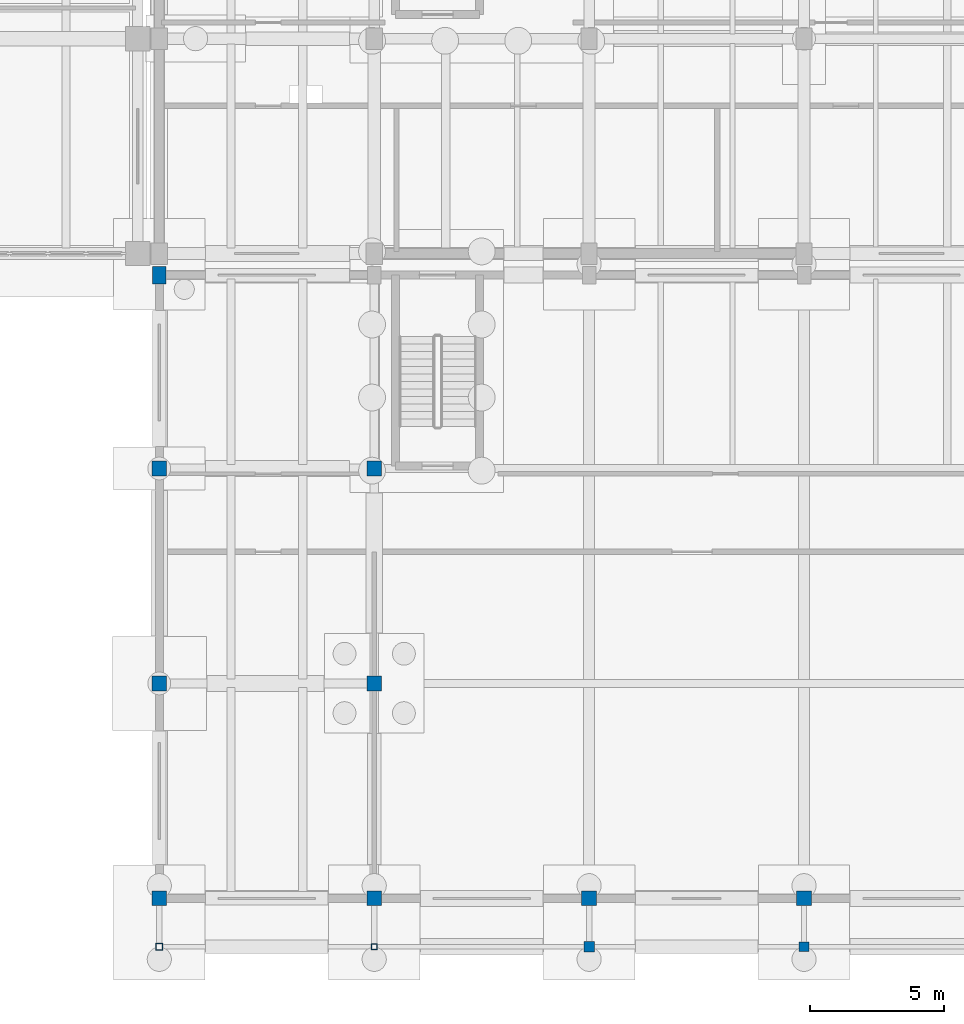
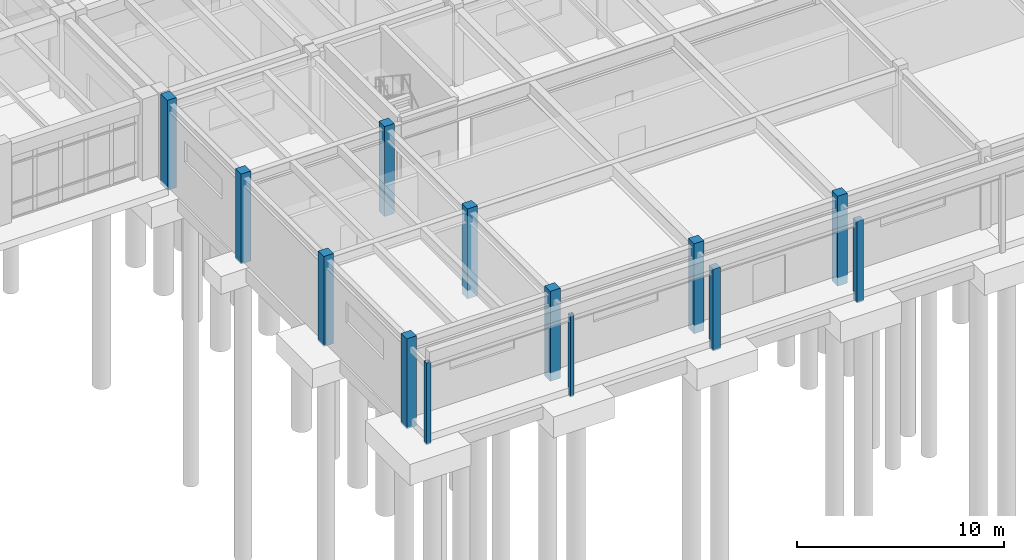
# One storey, part 9 of 64: 13 columns.
"""IFC4 building model written with IfcOpenShell, lengths in metres."""

import ifcopenshell
import ifcopenshell.guid

model = None  # the IFC model being written
_history = None  # IfcOwnerHistory: only IFC2X3 demands one
_inside = {}  # id of a spatial element -> (the spatial element, [elements in it])
_under = {}  # id of a project, library or spatial element -> (it, [spatial elements below it])
_declared = {}  # id of a project -> (the project, [libraries it declares])
_typed = {}  # id of a type object -> (the type object, [elements of that type])
_made_of = {}  # id of a material, layer set ... -> (it, [elements and type objects made of it])


def new_model(schema):
    """Start an empty IFC model of exactly this schema.

    Asked for "IFC4X3", IfcOpenShell would pick the latest addendum, in which some entities
    have other attributes; the version numbers below select the first issue.
    IFC2X3 requires an IfcOwnerHistory on every rooted entity: one is made here for all.
    """
    global model, _history
    if schema == "IFC4X3":
        model = ifcopenshell.file(schema_version=(4, 3, 0, 0))
    else:
        model = ifcopenshell.file(schema=schema)
    _inside.clear()
    _under.clear()
    _declared.clear()
    _typed.clear()
    _made_of.clear()
    _history = None
    if model.schema == "IFC2X3":
        org = make("IfcOrganization", Name="unknown")
        user = make(
            "IfcPersonAndOrganization",
            ThePerson=make("IfcPerson", FamilyName="unknown"),
            TheOrganization=org,
        )
        app = make(
            "IfcApplication",
            ApplicationDeveloper=org,
            Version="unknown",
            ApplicationFullName="unknown",
            ApplicationIdentifier="unknown",
        )
        _history = make(
            "IfcOwnerHistory",
            OwningUser=user,
            OwningApplication=app,
            ChangeAction="ADDED",
            CreationDate=0,
        )
    return model


def make(cls, **values):
    """One entity of the class cls with the attributes given. An attribute that is None is left unset."""
    return model.create_entity(
        cls, **{name: value for name, value in values.items() if value is not None}
    )


def rooted(cls, **values):
    """An entity with a GlobalId (a new one), such as an element, a storey or a relation."""
    return make(cls, GlobalId=ifcopenshell.guid.new(), OwnerHistory=_history, **values)


def si_unit(unit_type, name, prefix=None):
    """IfcSIUnit, for example si_unit("LENGTHUNIT", "METRE", prefix="MILLI")."""
    return make("IfcSIUnit", UnitType=unit_type, Prefix=prefix, Name=name)


def assignment(units):
    """IfcUnitAssignment: the units of a project."""
    return None if units is None else make("IfcUnitAssignment", Units=units)


def point(xyz):
    """IfcCartesianPoint."""
    return None if xyz is None else make("IfcCartesianPoint", Coordinates=xyz)


def direction(xyz):
    """IfcDirection."""
    return None if xyz is None else make("IfcDirection", DirectionRatios=xyz)


def frame(location, z_axis=None, x_axis=None):
    """IfcAxis2Placement3D, a coordinate frame: its origin and axes. An axis left out is left unset."""
    return make(
        "IfcAxis2Placement3D",
        Location=point(location),
        Axis=direction(z_axis),
        RefDirection=direction(x_axis),
    )


def frame_2d(location, x_axis=None):
    """IfcAxis2Placement2D, a coordinate frame in the plane: its origin and x axis."""
    return make(
        "IfcAxis2Placement2D", Location=point(location), RefDirection=direction(x_axis)
    )


def origin():
    """The frame at (0, 0, 0) with its axes left unset."""
    return frame((0.0, 0.0, 0.0))


def origin_2d():
    """The frame at (0, 0) in the plane with its x axis left unset."""
    return frame_2d((0.0, 0.0))


def place(relative_to, where):
    """IfcLocalPlacement: puts the frame where relative to a parent placement (None: the world)."""
    return make(
        "IfcLocalPlacement", PlacementRelTo=relative_to, RelativePlacement=where
    )


def context(
    kind, dimensions, precision=None, world=None, true_north=None, identifier=None
):
    """IfcGeometricRepresentationContext, for example the 3D "Model" context."""
    return make(
        "IfcGeometricRepresentationContext",
        ContextIdentifier=identifier,
        ContextType=kind,
        CoordinateSpaceDimension=dimensions,
        Precision=precision,
        WorldCoordinateSystem=world,
        TrueNorth=true_north,
    )


def subcontext(parent, identifier, kind, view, scale=None):
    """IfcGeometricRepresentationSubContext, for example "Body" below "Model"."""
    return make(
        "IfcGeometricRepresentationSubContext",
        ContextIdentifier=identifier,
        ContextType=kind,
        ParentContext=parent,
        TargetScale=scale,
        TargetView=view,
    )


def project(units=None, contexts=None):
    """IfcProject with its units and contexts."""
    return rooted(
        "IfcProject",
        Name="project",
        RepresentationContexts=contexts,
        UnitsInContext=assignment(units),
    )


def spatial(cls, under=None, at=None, **own):
    """A site, building, storey or space (cls), placed at a placement, below another one or the project."""
    s = rooted(cls, ObjectPlacement=at, **own)
    if under is not None:
        _under.setdefault(under.id(), (under, []))[1].append(s)
    return s


def profile(cls, at=None, kind="AREA", **sizes):
    """A parametric profile (cls). Its sizes go by their IFC names, for example OverallWidth=200.0."""
    return make(cls, ProfileType=kind, Position=at, **sizes)


def rectangle(**sizes):
    """IfcRectangleProfileDef."""
    return profile("IfcRectangleProfileDef", **sizes)


def hollow_rectangle(**sizes):
    """IfcRectangleHollowProfileDef."""
    return profile("IfcRectangleHollowProfileDef", **sizes)


def extrude(swept, where, along, depth):
    """IfcExtrudedAreaSolid: the profile swept, set in the frame where, extruded along a direction by depth."""
    return make(
        "IfcExtrudedAreaSolid",
        SweptArea=swept,
        Position=where,
        ExtrudedDirection=direction(along),
        Depth=depth,
    )


def shape(context_of_items, identifier, shape_type, items):
    """IfcShapeRepresentation: the items that make up one representation, for example the "Body"."""
    return make(
        "IfcShapeRepresentation",
        ContextOfItems=context_of_items,
        RepresentationIdentifier=identifier,
        RepresentationType=shape_type,
        Items=items,
    )


def material(Name=None, Category=None):
    """IfcMaterial."""
    return make("IfcMaterial", Name=Name, Category=Category)


def material_profile(
    of_material, cross_section, Name=None, Category=None, Priority=None
):
    """IfcMaterialProfile: a cross section and its material."""
    return make(
        "IfcMaterialProfile",
        Name=Name,
        Material=of_material,
        Profile=cross_section,
        Priority=Priority,
        Category=Category,
    )


def profile_set(profiles, Name=None, composite=None):
    """IfcMaterialProfileSet."""
    return make(
        "IfcMaterialProfileSet",
        Name=Name,
        MaterialProfiles=profiles,
        CompositeProfile=composite,
    )


def made_of(thing, what):
    """Note that an element or type object is made of a material, layer set ...; save() writes the relation."""
    if what is not None:
        _made_of.setdefault(what.id(), (what, []))[1].append(thing)
    return thing


def type_object(cls, material=None, **own):
    """A type object (cls), such as IfcWallType, which elements share."""
    return made_of(rooted(cls, **own), material)


def element(
    cls,
    number,
    at=None,
    inside=None,
    cuts=None,
    type_object=None,
    material=None,
    context=None,
    identifier="Body",
    shape_type=None,
    held_by="IfcProductDefinitionShape",
    body=None,
    shapes=None,
    **own,
):
    """One element of the class cls, such as IfcWall. Its Tag is "e" and its number.

    at: its placement. inside: the storey or other place that contains it. cuts: it is an
    opening in that element (IfcRelVoidsElement). A single representation is given by context,
    identifier, shape_type and body (its items); several are given by shapes. held_by: the class
    of the entity that holds the representations. save() writes the other relations.
    """
    e = rooted(cls, Tag="e%d" % number, ObjectPlacement=at, **own)
    if body is not None:
        shapes = [shape(context, identifier, shape_type, body)]
    if shapes is not None:
        e.Representation = make(held_by, Representations=shapes)
    if inside is not None:
        _inside.setdefault(inside.id(), (inside, []))[1].append(e)
    if cuts is not None:
        rooted(
            "IfcRelVoidsElement", RelatingBuildingElement=cuts, RelatedOpeningElement=e
        )
    if type_object is not None:
        _typed.setdefault(type_object.id(), (type_object, []))[1].append(e)
    return made_of(e, material)


def aggregate(whole, parts):
    """IfcRelAggregates: a whole, such as a stair, and the parts it consists of."""
    return rooted("IfcRelAggregates", RelatingObject=whole, RelatedObjects=parts)


def save(model, path):
    """Write the relations noted so far, then the file.

    IfcRelAggregates (storeys below a building ...), IfcRelContainedInSpatialStructure (elements
    in a storey), IfcRelDefinesByType, IfcRelAssociatesMaterial and IfcRelDeclares: one each for
    every whole, place, type object, material and project.
    """
    for whole, parts in _under.values():
        aggregate(whole, parts)
    for where, things in _inside.values():
        rooted(
            "IfcRelContainedInSpatialStructure",
            RelatedElements=things,
            RelatingStructure=where,
        )
    for kind, things in _typed.values():
        rooted("IfcRelDefinesByType", RelatedObjects=things, RelatingType=kind)
    for what, things in _made_of.values():
        rooted("IfcRelAssociatesMaterial", RelatedObjects=things, RelatingMaterial=what)
    for by, libraries in _declared.values():
        rooted("IfcRelDeclares", RelatingContext=by, RelatedDefinitions=libraries)
    model.write(path)


model = new_model("IFC4")

# Units and contexts
model_context = context("Model", 3, precision=1e-05, world=origin(), true_north=direction((0.0, 1.0)))
body_context = subcontext(model_context, "Body", "Model", "MODEL_VIEW")
ifc_project = project(units=[si_unit("LENGTHUNIT", "METRE"), si_unit("AREAUNIT", "SQUARE_METRE"), si_unit("VOLUMEUNIT", "CUBIC_METRE"), si_unit("PLANEANGLEUNIT", "RADIAN"), si_unit("MASSUNIT", "GRAM", prefix="KILO")], contexts=[model_context])

# Site, building, storey
site_placement = place(None, origin())
site = spatial("IfcSite", under=ifc_project, at=site_placement, CompositionType="ELEMENT")
building_placement = place(site_placement, origin())
building = spatial("IfcBuilding", under=site, at=building_placement, Name="Tlaxcora Railside Police Headquarters", CompositionType="ELEMENT")
storey_placement = place(building_placement, origin())
storey = spatial("IfcBuildingStorey", under=building, at=storey_placement, Name="L00", CompositionType="ELEMENT", Elevation=0.0)

# Columns
ifc_material_1 = material(Name="Steel ASTM A992 Grade 50", Category="steel")
ifc_material_profile_1 = material_profile(ifc_material_1, hollow_rectangle(XDim=0.25, YDim=0.25, WallThickness=0.011962890625, at=origin_2d()), Name="HSS250X250X12")
ifc_profile_set_1 = profile_set([ifc_material_profile_1], Name="Steel ASTM A992 Grade 50")
column_type_1 = type_object("IfcColumnType", Name="Facade Pilaster Column CL-25", PredefinedType="PILASTER", material=ifc_profile_set_1)
column_1_placement = place(storey_placement, frame((102.800048828125, 10.199951171875, -0.5), z_axis=(0.0, 0.0, 1.0), x_axis=(1.0, 0.0, 0.0)))
element("IfcColumn", 1, at=column_1_placement, inside=storey, type_object=column_type_1, Name="Forecourt colonnade pilaster X=102.8", PredefinedType="PILASTER", context=body_context, shape_type="SweptSolid", body=[
    extrude(hollow_rectangle(XDim=0.25, YDim=0.25, WallThickness=0.011962890625, at=origin_2d()), origin(), (0.0, 0.0, 1.0), 4.820068359375),
])
ifc_material_profile_2 = material_profile(ifc_material_1, hollow_rectangle(XDim=0.219970703125, YDim=0.219970703125, WallThickness=0.011962890625, at=origin_2d()), Name="HSS220X220X12")
ifc_profile_set_2 = profile_set([ifc_material_profile_2], Name="Steel ASTM A992 Grade 50")
column_type_2 = type_object("IfcColumnType", Name="Facade Pilaster Column CL-29", PredefinedType="PILASTER", material=ifc_profile_set_2)
column_2_placement = place(storey_placement, frame((110.800048828125, 10.199951171875, -0.5), z_axis=(0.0, 0.0, 1.0), x_axis=(1.0, 0.0, 0.0)))
element("IfcColumn", 2, at=column_2_placement, inside=storey, type_object=column_type_2, Name="Forecourt colonnade pilaster X=110.8", PredefinedType="PILASTER", context=body_context, shape_type="SweptSolid", body=[
    extrude(hollow_rectangle(XDim=0.219970703125, YDim=0.219970703125, WallThickness=0.011962890625, at=origin_2d()), origin(), (0.0, 0.0, 1.0), 4.820068359375),
])
ifc_material_2 = material(Name="Precast concrete C40/50", Category="concrete")
ifc_material_profile_3 = material_profile(ifc_material_2, rectangle(XDim=0.360107421875, YDim=0.360107421875, at=origin_2d()), Name="RC360X360")
ifc_profile_set_3 = profile_set([ifc_material_profile_3], Name="Precast concrete C40/50")
column_type_3 = type_object("IfcColumnType", Name="Facade Pilaster Column CL-34", PredefinedType="PILASTER", material=ifc_profile_set_3)
column_3_placement = place(storey_placement, frame((126.800048828125, 10.199951171875, -0.5), z_axis=(0.0, 0.0, 1.0), x_axis=(1.0, 0.0, 0.0)))
element("IfcColumn", 3, at=column_3_placement, inside=storey, type_object=column_type_3, Name="Forecourt colonnade pilaster X=126.8", PredefinedType="PILASTER", context=body_context, shape_type="SweptSolid", body=[
    extrude(rectangle(XDim=0.360107421875, YDim=0.360107421875, at=origin_2d()), origin(), (0.0, 0.0, 1.0), 4.820068359375),
])
ifc_material_profile_4 = material_profile(ifc_material_2, rectangle(XDim=0.39990234375, YDim=0.39990234375, at=origin_2d()), Name="RC400X400")
ifc_profile_set_4 = profile_set([ifc_material_profile_4], Name="Precast concrete C40/50")
column_type_4 = type_object("IfcColumnType", Name="Facade Pilaster Column CL-61", PredefinedType="PILASTER", material=ifc_profile_set_4)
column_4_placement = place(storey_placement, frame((118.800048828125, 10.199951171875, -0.5), z_axis=(0.0, 0.0, 1.0), x_axis=(1.0, 0.0, 0.0)))
element("IfcColumn", 4, at=column_4_placement, inside=storey, type_object=column_type_4, Name="Forecourt colonnade pilaster X=118.8", PredefinedType="PILASTER", context=body_context, shape_type="SweptSolid", body=[
    extrude(rectangle(XDim=0.39990234375, YDim=0.39990234375, at=origin_2d()), origin(), (0.0, 0.0, 1.0), 4.820068359375),
])
ifc_material_3 = material(Name="Concrete C40/50", Category="concrete")
ifc_material_profile_5 = material_profile(ifc_material_3, rectangle(XDim=0.5, YDim=0.64990234375, at=origin_2d()), Name="RC500X650")
ifc_profile_set_5 = profile_set([ifc_material_profile_5], Name="Concrete C40/50")
column_type_5 = type_object("IfcColumnType", Name="Structural Column CL-28", PredefinedType="COLUMN", material=ifc_profile_set_5)
column_5_placement = place(storey_placement, frame((102.800048828125, 35.199951171875, -0.5), z_axis=(0.0, 0.0, 1.0), x_axis=(1.0, 0.0, 0.0)))
element("IfcColumn", 5, at=column_5_placement, inside=storey, type_object=column_type_5, Name="L00 column (102.8, 35.2)", PredefinedType="COLUMN", context=body_context, shape_type="SweptSolid", body=[
    extrude(rectangle(XDim=0.5, YDim=0.64990234375, at=origin_2d()), origin(), (0.0, 0.0, 1.0), 5.300048828125),
])
ifc_material_profile_6 = material_profile(ifc_material_3, rectangle(XDim=0.550048828125, YDim=0.550048828125, at=origin_2d()), Name="RC550X550")
ifc_profile_set_6 = profile_set([ifc_material_profile_6], Name="Concrete C40/50")
column_type_6 = type_object("IfcColumnType", Name="Structural Column CL-83", PredefinedType="COLUMN", material=ifc_profile_set_6)
for number, where, z_axis, x_axis, name in (
    (6, (102.800048828125, 12.0, -0.5), (0.0, 0.0, 1.0), (1.0, 0.0, 0.0), "L00 column (102.8, 12.0)"),
    (7, (102.800048828125, 20.0, -0.5), (0.0, 0.0, 1.0), (1.0, 0.0, 0.0), "L00 column (102.8, 20.0)"),
    (8, (102.800048828125, 28.0, -0.5), (0.0, 0.0, 1.0), (1.0, 0.0, 0.0), "L00 column (102.8, 28.0)"),
    (9, (110.800048828125, 12.0, -0.5), (0.0, 0.0, 1.0), (1.0, 0.0, 0.0), "L00 column (110.8, 12.0)"),
    (10, (110.800048828125, 20.0, -0.5), (0.0, 0.0, 1.0), (1.0, 0.0, 0.0), "L00 column (110.8, 20.0)"),
    (11, (110.800048828125, 28.0, -0.5), (0.0, 0.0, 1.0), (1.0, 0.0, 0.0), "L00 column (110.8, 28.0)"),
    (12, (118.800048828125, 12.0, -0.5), (0.0, 0.0, 1.0), (1.0, 0.0, 0.0), "L00 column (118.8, 12.0)"),
    (13, (126.800048828125, 12.0, -0.5), (0.0, 0.0, 1.0), (1.0, 0.0, 0.0), "L00 column (126.8, 12.0)"),
):
    element("IfcColumn", number, at=place(storey_placement, frame(where, z_axis=z_axis, x_axis=x_axis)), inside=storey, type_object=column_type_6, Name=name, PredefinedType="COLUMN", context=body_context, shape_type="SweptSolid", body=[
        extrude(rectangle(XDim=0.550048828125, YDim=0.550048828125, at=origin_2d()), origin(), (0.0, 0.0, 1.0), 5.300048828125),
    ])

save(model, "model.ifc")
